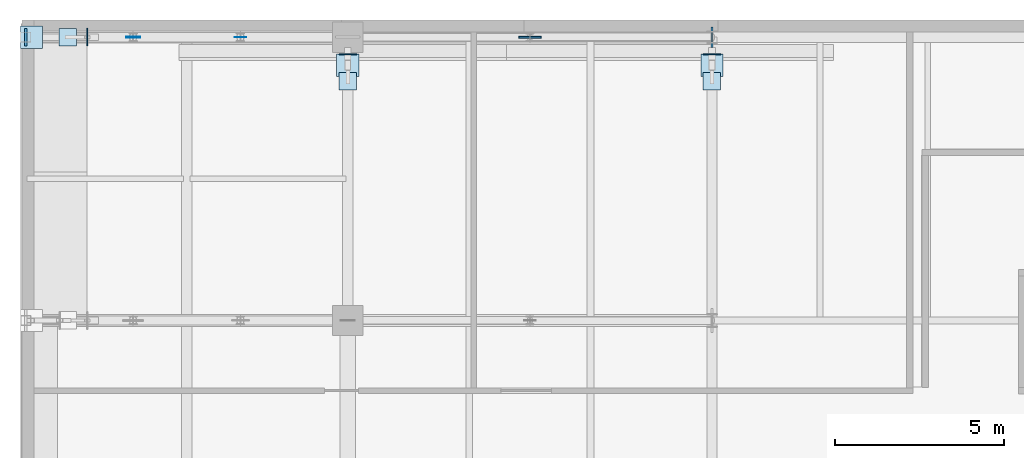
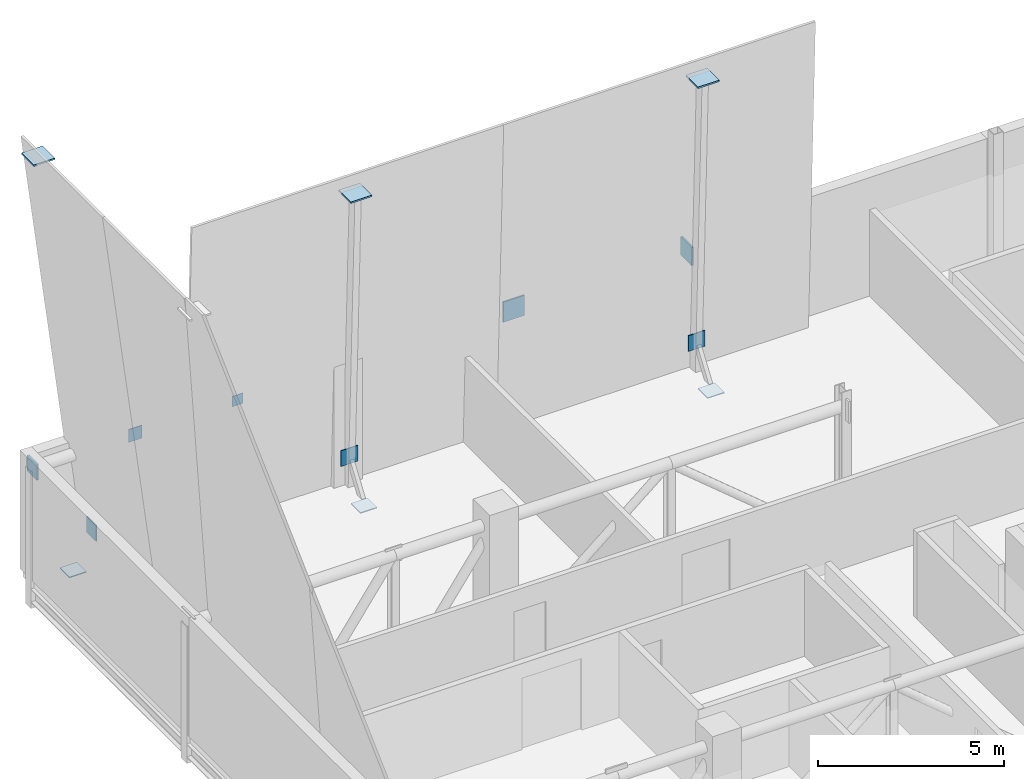
# One storey, part 6 of 10: 14 plates.
"""IFC4 building model written with IfcOpenShell, lengths in metres."""

from ifc_helpers import new_model, si_unit, direction, frame, origin, origin_2d, place, context, subcontext, project, spatial, rectangle, extrude, material, layer, layer_set, type_object, element, save


model = new_model("IFC4")

# Units and contexts
model_context = context("Model", 3, precision=1e-05, world=origin(), true_north=direction((0.0, 1.0)))
body_context = subcontext(model_context, "Body", "Model", "MODEL_VIEW")
ifc_project = project(units=[si_unit("LENGTHUNIT", "METRE"), si_unit("AREAUNIT", "SQUARE_METRE"), si_unit("VOLUMEUNIT", "CUBIC_METRE"), si_unit("PLANEANGLEUNIT", "RADIAN"), si_unit("MASSUNIT", "GRAM", prefix="KILO")], contexts=[model_context])

# Site, building, storey
site_placement = place(None, origin())
site = spatial("IfcSite", under=ifc_project, at=site_placement, CompositionType="ELEMENT")
building_placement = place(site_placement, origin())
building = spatial("IfcBuilding", under=site, at=building_placement, Name="Zereglee Splitstone Museum", CompositionType="ELEMENT")
storey_placement = place(building_placement, frame((0.0, 0.0, 25.5)))
storey = spatial("IfcBuildingStorey", under=building, at=storey_placement, Name="L05", CompositionType="ELEMENT", Elevation=25.5)

# Plates
ifc_material = material(Name="Steel S355J2", Category="steel")
ifc_layer_1 = layer(ifc_material, 0.011962890625)
ifc_layer_set_1 = layer_set([ifc_layer_1], Name="Steel S355J2")
plate_type_1 = type_object("IfcPlateType", Name="NP-06", PredefinedType="SHEET", material=ifc_layer_set_1)
plate_1_placement = place(storey_placement, frame((6.416748046875, 30.0, 3.43017578125), z_axis=(0.0, 0.0, 1.0), x_axis=(1.0, 0.0, 0.0)))
element("IfcPlate", 1, at=plate_1_placement, inside=storey, type_object=plate_type_1, Name="Cantilever Truss Node Plate CN-04", PredefinedType="SHEET", context=body_context, shape_type="SweptSolid", body=[
    extrude(rectangle(XDim=0.340087890625, YDim=0.011962890625, at=origin_2d()), origin(), (0.0, 0.0, 1.0), 0.340087890625),
])
ifc_layer_2 = layer(ifc_material, 0.02001953125)
ifc_layer_set_2 = layer_set([ifc_layer_2], Name="Steel S355J2")
plate_type_2 = type_object("IfcPlateType", Name="NP-05", PredefinedType="SHEET", material=ifc_layer_set_2)
plate_2_placement = place(storey_placement, frame((3.2333984375, 30.0, 3.39013671875), z_axis=(0.0, 0.0, 1.0), x_axis=(1.0, 0.0, 0.0)))
element("IfcPlate", 2, at=plate_2_placement, inside=storey, type_object=plate_type_2, Name="Cantilever Truss Node Plate CN-04", PredefinedType="SHEET", context=body_context, shape_type="SweptSolid", body=[
    extrude(rectangle(XDim=0.419921875, YDim=0.02001953125, at=origin_2d()), origin(), (0.0, 0.0, 1.0), 0.419921875),
])
ifc_layer_3 = layer(ifc_material, 0.030029296875)
ifc_layer_set_3 = layer_set([ifc_layer_3], Name="Steel S355J2")
plate_type_3 = type_object("IfcPlateType", Name="NP-04", PredefinedType="SHEET", material=ifc_layer_set_3)
plate_3_placement = place(storey_placement, frame((0.050048828125, 30.0, 3.340087890625), z_axis=(0.0, 0.0, 1.0), x_axis=(1.0, 0.0, 0.0)))
element("IfcPlate", 3, at=plate_3_placement, inside=storey, type_object=plate_type_3, Name="Cantilever Truss Node Plate CN-04", PredefinedType="SHEET", context=body_context, shape_type="SweptSolid", body=[
    extrude(rectangle(XDim=0.06005859375, YDim=0.52001953125, at=origin_2d()), origin(), (0.0, 0.0, 1.0), 0.52001953125),
])
plate_4_placement = place(storey_placement, frame((1.300048828125, 30.0, -0.22509765625), z_axis=(0.0, 0.0, 1.0), x_axis=(1.0, 0.0, 0.0)))
element("IfcPlate", 4, at=plate_4_placement, inside=storey, type_object=plate_type_3, Name="Facet Tie Seal Plate FH-V1W-N", PredefinedType="SHEET", context=body_context, shape_type="SweptSolid", body=[
    extrude(rectangle(XDim=0.52001953125, YDim=0.52001953125, at=origin_2d()), origin(), (0.0, 0.0, 1.0), 0.030029296875),
])
plate_5_placement = place(storey_placement, frame((1.878173828125, 30.0, 0.68994140625), z_axis=(0.0, 0.0, 1.0), x_axis=(1.0, 0.0, 0.0)))
element("IfcPlate", 5, at=plate_5_placement, inside=storey, type_object=plate_type_3, Name="Facet Tie Seal Plate FH-V1W-N", PredefinedType="SHEET", context=body_context, shape_type="SweptSolid", body=[
    extrude(rectangle(XDim=0.030029296875, YDim=0.52001953125, at=origin_2d()), origin(), (0.0, 0.0, 1.0), 0.52001953125),
])
plate_6_placement = place(storey_placement, frame((9.60009765625, 28.699951171875, -0.22509765625), z_axis=(0.0, 0.0, 1.0), x_axis=(1.0, 0.0, 0.0)))
element("IfcPlate", 6, at=plate_6_placement, inside=storey, type_object=plate_type_3, Name="Facet Tie Seal Plate FH-V1N-W", PredefinedType="SHEET", context=body_context, shape_type="SweptSolid", body=[
    extrude(rectangle(XDim=0.52001953125, YDim=0.52001953125, at=origin_2d()), origin(), (0.0, 0.0, 1.0), 0.030029296875),
])
plate_7_placement = place(storey_placement, frame((9.60009765625, 29.497314453125, 0.68994140625), z_axis=(0.0, 0.0, 1.0), x_axis=(1.0, 0.0, 0.0)))
element("IfcPlate", 7, at=plate_7_placement, inside=storey, type_object=plate_type_3, Name="Facet Tie Seal Plate FH-V1N-W", PredefinedType="SHEET", context=body_context, shape_type="SweptSolid", body=[
    extrude(rectangle(XDim=0.52001953125, YDim=0.030029296875, at=origin_2d()), origin(), (0.0, 0.0, 1.0), 0.52001953125),
])
plate_8_placement = place(storey_placement, frame((20.39990234375, 28.699951171875, -0.22509765625), z_axis=(0.0, 0.0, 1.0), x_axis=(1.0, 0.0, 0.0)))
element("IfcPlate", 8, at=plate_8_placement, inside=storey, type_object=plate_type_3, Name="Facet Tie Seal Plate FH-V1N-W", PredefinedType="SHEET", context=body_context, shape_type="SweptSolid", body=[
    extrude(rectangle(XDim=0.52001953125, YDim=0.52001953125, at=origin_2d()), origin(), (0.0, 0.0, 1.0), 0.030029296875),
])
plate_9_placement = place(storey_placement, frame((20.39990234375, 29.497314453125, 0.68994140625), z_axis=(0.0, 0.0, 1.0), x_axis=(1.0, 0.0, 0.0)))
element("IfcPlate", 9, at=plate_9_placement, inside=storey, type_object=plate_type_3, Name="Facet Tie Seal Plate FH-V1N-W", PredefinedType="SHEET", context=body_context, shape_type="SweptSolid", body=[
    extrude(rectangle(XDim=0.52001953125, YDim=0.030029296875, at=origin_2d()), origin(), (0.0, 0.0, 1.0), 0.52001953125),
])
ifc_layer_4 = layer(ifc_material, 0.0400390625)
ifc_layer_set_4 = layer_set([ifc_layer_4], Name="Steel S355J2")
plate_type_4 = type_object("IfcPlateType", Name="NP-03", PredefinedType="SHEET", material=ifc_layer_set_4)
plate_10_placement = place(storey_placement, frame((20.39990234375, 30.0, 3.300048828125), z_axis=(0.0, 0.0, 1.0), x_axis=(1.0, 0.0, 0.0)))
element("IfcPlate", 10, at=plate_10_placement, inside=storey, type_object=plate_type_4, Name="Cantilever Truss Node Plate CN-04", PredefinedType="SHEET", context=body_context, shape_type="SweptSolid", body=[
    extrude(rectangle(XDim=0.06005859375, YDim=0.60009765625, at=origin_2d()), origin(), (0.0, 0.0, 1.0), 0.60009765625),
])
ifc_layer_5 = layer(ifc_material, 0.050048828125)
ifc_layer_set_5 = layer_set([ifc_layer_5], Name="Steel S355J2")
plate_type_5 = type_object("IfcPlateType", Name="NP-02", PredefinedType="SHEET", material=ifc_layer_set_5)
plate_11_placement = place(storey_placement, frame((15.0, 30.0, 3.27001953125), z_axis=(0.0, 0.0, 1.0), x_axis=(1.0, 0.0, 0.0)))
element("IfcPlate", 11, at=plate_11_placement, inside=storey, type_object=plate_type_5, Name="Cantilever Truss Node Plate CN-04", PredefinedType="SHEET", context=body_context, shape_type="SweptSolid", body=[
    extrude(rectangle(XDim=0.659912109375, YDim=0.050048828125, at=origin_2d()), origin(), (0.0, 0.0, 1.0), 0.659912109375),
])
for number, where, z_axis, x_axis, name in (
    (12, (0.21728515625, 30.0, 13.7548828125), (0.0, 0.0, 1.0), (1.0, 0.0, 0.0), "Facet Strut Seal Plate FH-V1W-N"),
    (13, (9.60009765625, 29.169189453125, 9.7548828125), (0.0, 0.0, 1.0), (1.0, 0.0, 0.0), "Facet Strut Seal Plate FH-V1N-W"),
    (14, (20.39990234375, 29.169189453125, 9.7548828125), (0.0, 0.0, 1.0), (1.0, 0.0, 0.0), "Facet Strut Seal Plate FH-V1N-W"),
):
    element("IfcPlate", number, at=place(storey_placement, frame(where, z_axis=z_axis, x_axis=x_axis)), inside=storey, type_object=plate_type_5, Name=name, PredefinedType="SHEET", context=body_context, shape_type="SweptSolid", body=[
        extrude(rectangle(XDim=0.659912109375, YDim=0.659912109375, at=origin_2d()), origin(), (0.0, 0.0, 1.0), 0.050048828125),
    ])

save(model, "model.ifc")
